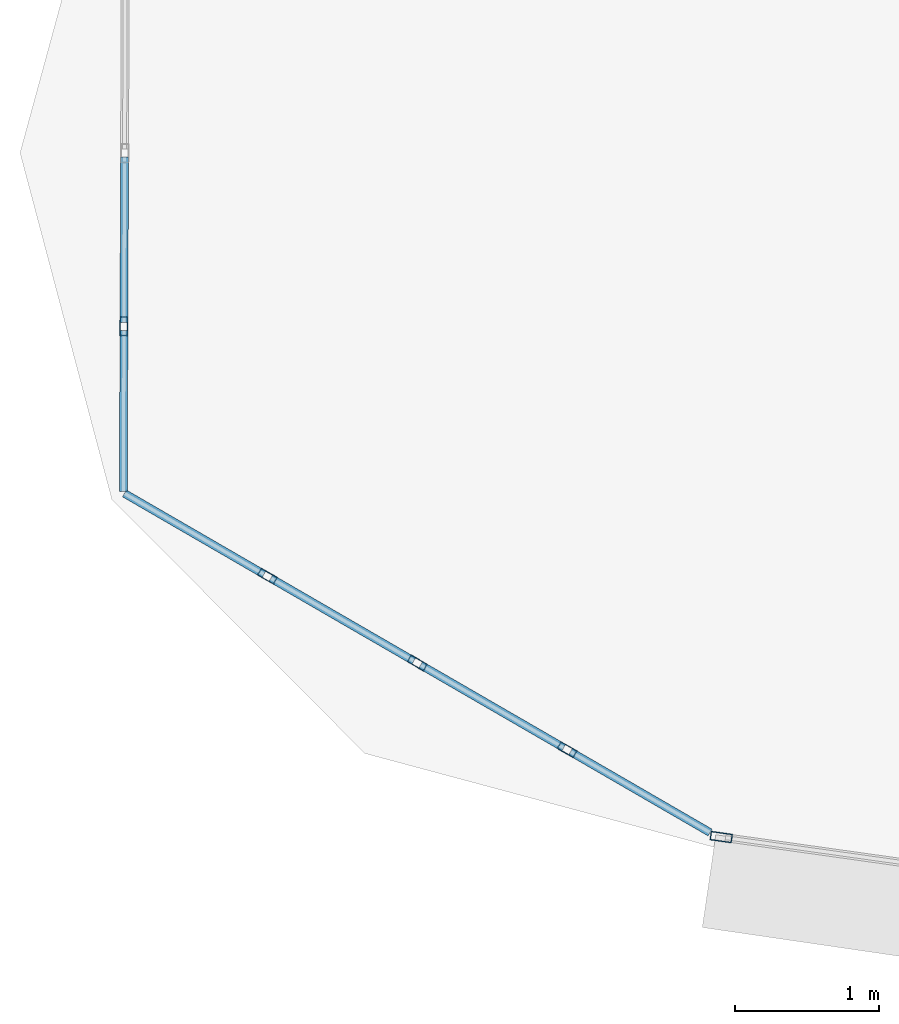
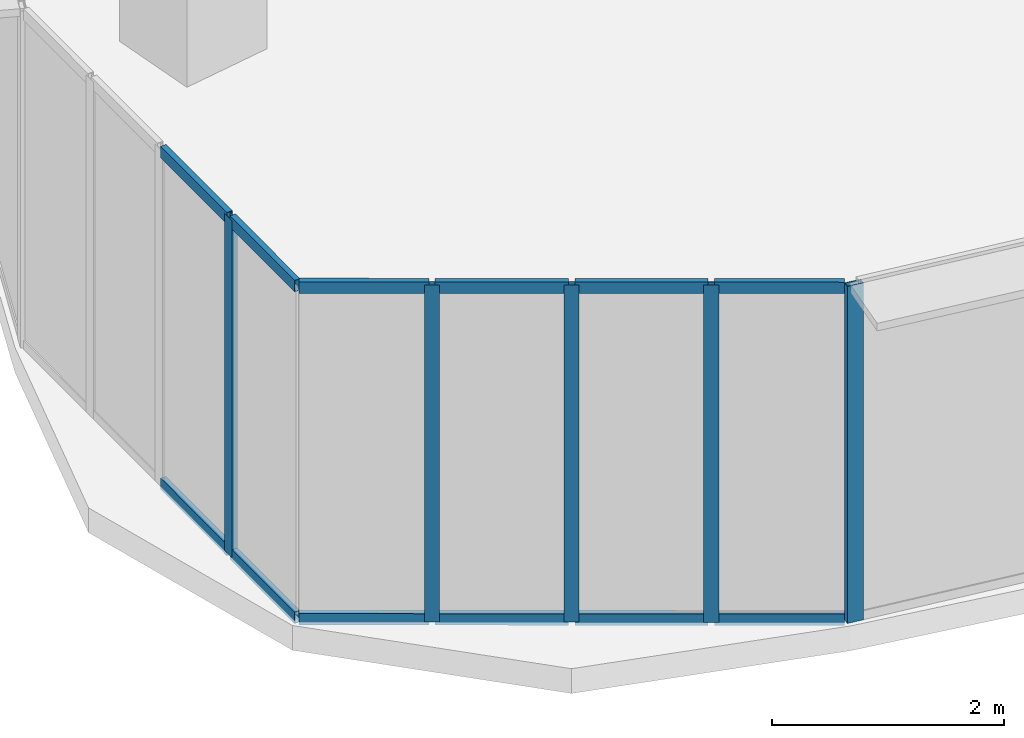
# One storey, part 2 of 40: 17 members, 3 elements without a shape of their own.
"""IFC4 building model written with IfcOpenShell, lengths in metres."""

from ifc_helpers import new_model, si_unit, direction, frame, origin, origin_2d, place, context, subcontext, project, spatial, hollow_rectangle, extrude, source, transform, mapped, material, layer, layer_set, material_profile, profile_set, type_object, element, aggregate, save


model = new_model("IFC4")

# Units and contexts
model_context = context("Model", 3, precision=1e-05, world=origin(), true_north=direction((0.0, 1.0)))
body_context = subcontext(model_context, "Body", "Model", "MODEL_VIEW")
ifc_project = project(units=[si_unit("LENGTHUNIT", "METRE"), si_unit("AREAUNIT", "SQUARE_METRE"), si_unit("VOLUMEUNIT", "CUBIC_METRE"), si_unit("PLANEANGLEUNIT", "RADIAN"), si_unit("MASSUNIT", "GRAM", prefix="KILO"), si_unit("THERMODYNAMICTEMPERATUREUNIT", "KELVIN"), si_unit("POWERUNIT", "WATT")], contexts=[model_context])

# Site, building, storey
site_placement = place(None, origin())
site = spatial("IfcSite", under=ifc_project, at=site_placement, CompositionType="ELEMENT")
building_placement = place(site_placement, origin())
building = spatial("IfcBuilding", under=site, at=building_placement, Name="Yunzhuo Pagoda Commons", CompositionType="ELEMENT")
storey_placement = place(building_placement, frame((0.0, 0.0, 184.760009765625)))
storey = spatial("IfcBuildingStorey", under=building, at=storey_placement, Name="L46", CompositionType="ELEMENT", Elevation=184.760009765625)

# Curtain wall, member
ifc_material = material(Name="Anodized aluminium 6063-T6", Category="aluminium")
ifc_layer_1 = layer(ifc_material, 0.1298828125)
ifc_layer_set_1 = layer_set([ifc_layer_1], Name="Anodized aluminium 6063-T6")
curtain_wall_type_1 = type_object("IfcCurtainWallType", Name="CW-VTX Rounded Corner Curtain Wall", PredefinedType="NOTDEFINED", material=ifc_layer_set_1)
curtain_wall_1_placement = place(storey_placement, origin())
curtain_wall_1 = element("IfcCurtainWall", 1, at=curtain_wall_1_placement, inside=storey, type_object=curtain_wall_type_1, Name="L46 curtain wall CW-L46-VTX1S1", PredefinedType="NOTDEFINED")
ifc_material_profile_1 = material_profile(ifc_material, hollow_rectangle(XDim=0.054931640625, YDim=0.1298828125, WallThickness=0.00341796875, at=origin_2d()), Name="Anodized aluminium 6063-T6")
ifc_profile_set_1 = profile_set([ifc_material_profile_1], Name="Anodized aluminium 6063-T6")
member_type_1 = type_object("IfcMemberType", Name="CW-VTX-M Mullion RHS 130x55x3.5", PredefinedType="MULLION", material=ifc_profile_set_1)
shared_shape_1 = source(origin(), body_context, "Body", "SweptSolid", [
    extrude(hollow_rectangle(XDim=0.054931640625, YDim=0.1298828125, WallThickness=0.00341796875, at=origin_2d()), origin(), (0.0, 0.0, 1.0), 3.5400390625),
])
member_1_placement = place(storey_placement, frame((9.262451171875, 20.725830078125, 0.0), z_axis=(0.0, 0.0, 1.0), x_axis=(0.99999359061, -0.003580326762, 0.0)))
member_1 = element("IfcMember", 2, at=member_1_placement, type_object=member_type_1, Name="CW mullion 4", PredefinedType="MULLION", context=body_context, shape_type="MappedRepresentation", body=[
    mapped(shared_shape_1, transform((0.0, 0.0, 0.0), scale=1.0)),
])

# Curtain wall, members
curtain_wall_2_placement = place(storey_placement, origin())
curtain_wall_2 = element("IfcCurtainWall", 3, at=curtain_wall_2_placement, inside=storey, type_object=curtain_wall_type_1, Name="L46 curtain wall CW-L46-VTX1S2", PredefinedType="NOTDEFINED")
member_2_placement = place(storey_placement, frame((10.257568359375, 18.99267578125, 0.0), z_axis=(0.0, 0.0, 1.0), x_axis=(0.501040373263, 0.865423910208, 0.0)))
member_2 = element("IfcMember", 4, at=member_2_placement, type_object=member_type_1, Name="CW mullion 2", PredefinedType="MULLION", context=body_context, shape_type="MappedRepresentation", body=[
    mapped(shared_shape_1, transform((0.0, 0.0, 0.0), scale=1.0)),
])
member_3_placement = place(storey_placement, frame((11.297119140625, 18.390869140625, 0.0), z_axis=(0.0, 0.0, 1.0), x_axis=(0.501040373263, 0.865423910208, 0.0)))
member_3 = element("IfcMember", 5, at=member_3_placement, type_object=member_type_1, Name="CW mullion 3", PredefinedType="MULLION", context=body_context, shape_type="MappedRepresentation", body=[
    mapped(shared_shape_1, transform((0.0, 0.0, 0.0), scale=1.0)),
])
member_4_placement = place(storey_placement, frame((12.33642578125, 17.789306640625, 0.0), z_axis=(0.0, 0.0, 1.0), x_axis=(0.501040373263, 0.865423910208, 0.0)))
member_4 = element("IfcMember", 6, at=member_4_placement, type_object=member_type_1, Name="CW mullion 4", PredefinedType="MULLION", context=body_context, shape_type="MappedRepresentation", body=[
    mapped(shared_shape_1, transform((0.0, 0.0, 0.0), scale=1.0)),
])

# Curtain wall, member
ifc_layer_2 = layer(ifc_material, 0.14990234375)
ifc_layer_set_2 = layer_set([ifc_layer_2], Name="Anodized aluminium 6063-T6")
curtain_wall_type_2 = type_object("IfcCurtainWallType", Name="CW-MID Mid-Zone Ribbon Curtain Wall", PredefinedType="NOTDEFINED", material=ifc_layer_set_2)
curtain_wall_3_placement = place(storey_placement, origin())
curtain_wall_3 = element("IfcCurtainWall", 7, at=curtain_wall_3_placement, inside=storey, type_object=curtain_wall_type_2, Name="L46 curtain wall CW-L46-F1B1", PredefinedType="NOTDEFINED")
ifc_material_profile_2 = material_profile(ifc_material, hollow_rectangle(XDim=0.06005859375, YDim=0.14990234375, WallThickness=0.00390625, at=origin_2d()), Name="Anodized aluminium 6063-T6")
ifc_profile_set_2 = profile_set([ifc_material_profile_2], Name="Anodized aluminium 6063-T6")
member_type_2 = type_object("IfcMemberType", Name="CW-MID-M Mullion RHS 150x60x4", PredefinedType="MULLION", material=ifc_profile_set_2)
shared_shape_2 = source(origin(), body_context, "Body", "SweptSolid", [
    extrude(hollow_rectangle(XDim=0.06005859375, YDim=0.14990234375, WallThickness=0.00390625, at=origin_2d()), origin(), (0.0, 0.0, 1.0), 3.5400390625),
])
member_5_placement = place(storey_placement, frame((13.405517578125, 17.183349609375, 0.0), z_axis=(0.0, 0.0, 1.0), x_axis=(0.139233100351, 0.990259634524, 0.0)))
member_5 = element("IfcMember", 8, at=member_5_placement, type_object=member_type_2, Name="CW mullion 1", PredefinedType="MULLION", context=body_context, shape_type="MappedRepresentation", body=[
    mapped(shared_shape_2, transform((0.0, 0.0, 0.0), scale=1.0)),
])
aggregate(curtain_wall_3, [member_5])

# Member
ifc_material_profile_3 = material_profile(ifc_material, hollow_rectangle(XDim=0.054931640625, YDim=0.1201171875, WallThickness=0.00341796875, at=origin_2d()), Name="Anodized aluminium 6063-T6")
ifc_profile_set_3 = profile_set([ifc_material_profile_3], Name="Anodized aluminium 6063-T6")
member_type_3 = type_object("IfcMemberType", Name="CW-VTX-T Transom RHS 120x55x3.5", PredefinedType="USERDEFINED", material=ifc_profile_set_3)
shared_shape_3 = source(origin(), body_context, "Body", "SweptSolid", [
    extrude(hollow_rectangle(XDim=0.054931640625, YDim=0.1201171875, WallThickness=0.00341796875, at=origin_2d()), origin(), (0.0, 0.0, 1.0), 1.14599609375),
])
member_6_placement = place(storey_placement, frame((9.2666015625, 21.8994140625, 0.027587890625), z_axis=(-0.003408586931, -0.999994190751, 0.0), x_axis=(0.999994190751, -0.003408586931, 0.0)))
member_6 = element("IfcMember", 9, at=member_6_placement, type_object=member_type_3, Name="CW transom 3.1", ObjectType="TRANSOM", PredefinedType="USERDEFINED", context=body_context, shape_type="MappedRepresentation", body=[
    mapped(shared_shape_3, transform((0.0, 0.0, 0.0), scale=1.0)),
])

member_7_placement = place(storey_placement, frame((9.2666015625, 21.8994140625, 3.512451171875), z_axis=(-0.003408586931, -0.999994190751, 0.0), x_axis=(0.999994190751, -0.003408586931, 0.0)))
member_7 = element("IfcMember", 10, at=member_7_placement, type_object=member_type_3, Name="CW transom 3.2", ObjectType="TRANSOM", PredefinedType="USERDEFINED", context=body_context, shape_type="MappedRepresentation", body=[
    mapped(shared_shape_3, transform((0.0, 0.0, 0.0), scale=1.0)),
])

member_8_placement = place(storey_placement, frame((11.32080078125, 18.377197265625, 0.027587890625), z_axis=(0.865542942623, -0.500834717722, 0.0), x_axis=(0.500834717722, 0.865542942623, 0.0)))
member_8 = element("IfcMember", 11, at=member_8_placement, type_object=member_type_3, Name="CW transom 3.1", ObjectType="TRANSOM", PredefinedType="USERDEFINED", context=body_context, shape_type="MappedRepresentation", body=[
    mapped(shared_shape_3, transform((0.0, 0.0, 0.0), scale=1.0)),
])

member_9_placement = place(storey_placement, frame((11.32080078125, 18.377197265625, 3.512451171875), z_axis=(0.865542942623, -0.500834717722, 0.0), x_axis=(0.500834717722, 0.865542942623, 0.0)))
member_9 = element("IfcMember", 12, at=member_9_placement, type_object=member_type_3, Name="CW transom 3.2", ObjectType="TRANSOM", PredefinedType="USERDEFINED", context=body_context, shape_type="MappedRepresentation", body=[
    mapped(shared_shape_3, transform((0.0, 0.0, 0.0), scale=1.0)),
])

shared_shape_4 = source(origin(), body_context, "Body", "SweptSolid", [
    extrude(hollow_rectangle(XDim=0.054931640625, YDim=0.1201171875, WallThickness=0.00341796875, at=origin_2d()), origin(), (0.0, 0.0, 1.0), 1.11865234375),
])
member_10_placement = place(storey_placement, frame((9.262451171875, 20.698486328125, 0.027587890625), z_axis=(-0.003710144696, -0.999993117389, 0.0), x_axis=(0.999993117389, -0.003710144696, 0.0)))
member_10 = element("IfcMember", 13, at=member_10_placement, type_object=member_type_3, Name="CW transom 4.1", ObjectType="TRANSOM", PredefinedType="USERDEFINED", context=body_context, shape_type="MappedRepresentation", body=[
    mapped(shared_shape_4, transform((0.0, 0.0, 0.0), scale=1.0)),
])

member_11_placement = place(storey_placement, frame((9.262451171875, 20.698486328125, 3.512451171875), z_axis=(-0.003710144696, -0.999993117389, 0.0), x_axis=(0.999993117389, -0.003710144696, 0.0)))
member_11 = element("IfcMember", 14, at=member_11_placement, type_object=member_type_3, Name="CW transom 4.2", ObjectType="TRANSOM", PredefinedType="USERDEFINED", context=body_context, shape_type="MappedRepresentation", body=[
    mapped(shared_shape_4, transform((0.0, 0.0, 0.0), scale=1.0)),
])

aggregate(curtain_wall_1, [member_1, member_6, member_7, member_10, member_11])

member_12_placement = place(storey_placement, frame((9.265869140625, 19.567138671875, 0.027587890625), z_axis=(0.865286801304, -0.501277120453, 0.0), x_axis=(0.501277120453, 0.865286801304, 0.0)))
member_12 = element("IfcMember", 15, at=member_12_placement, type_object=member_type_3, Name="CW transom 1.1", ObjectType="TRANSOM", PredefinedType="USERDEFINED", context=body_context, shape_type="MappedRepresentation", body=[
    mapped(shared_shape_4, transform((0.0, 0.0, 0.0), scale=1.0)),
])

member_13_placement = place(storey_placement, frame((9.265869140625, 19.567138671875, 3.512451171875), z_axis=(0.865286801304, -0.501277120453, 0.0), x_axis=(0.501277120453, 0.865286801304, 0.0)))
member_13 = element("IfcMember", 16, at=member_13_placement, type_object=member_type_3, Name="CW transom 1.2", ObjectType="TRANSOM", PredefinedType="USERDEFINED", context=body_context, shape_type="MappedRepresentation", body=[
    mapped(shared_shape_4, transform((0.0, 0.0, 0.0), scale=1.0)),
])

member_14_placement = place(storey_placement, frame((12.360107421875, 17.775390625, 0.027587890625), z_axis=(0.865381453688, -0.501113699286, 0.0), x_axis=(0.501113699286, 0.865381453688, 0.0)))
member_14 = element("IfcMember", 17, at=member_14_placement, type_object=member_type_3, Name="CW transom 4.1", ObjectType="TRANSOM", PredefinedType="USERDEFINED", context=body_context, shape_type="MappedRepresentation", body=[
    mapped(shared_shape_4, transform((0.0, 0.0, 0.0), scale=1.0)),
])

member_15_placement = place(storey_placement, frame((12.360107421875, 17.775390625, 3.512451171875), z_axis=(0.865381453688, -0.501113699286, 0.0), x_axis=(0.501113699286, 0.865381453688, 0.0)))
member_15 = element("IfcMember", 18, at=member_15_placement, type_object=member_type_3, Name="CW transom 4.2", ObjectType="TRANSOM", PredefinedType="USERDEFINED", context=body_context, shape_type="MappedRepresentation", body=[
    mapped(shared_shape_4, transform((0.0, 0.0, 0.0), scale=1.0)),
])

shared_shape_5 = source(origin(), body_context, "Body", "SweptSolid", [
    extrude(hollow_rectangle(XDim=0.054931640625, YDim=0.1201171875, WallThickness=0.00341796875, at=origin_2d()), origin(), (0.0, 0.0, 1.0), 1.145751953125),
])
member_16_placement = place(storey_placement, frame((10.281494140625, 18.978759765625, 0.027587890625), z_axis=(0.865489492245, -0.500927079337, 0.0), x_axis=(0.500927079337, 0.865489492245, 0.0)))
member_16 = element("IfcMember", 19, at=member_16_placement, type_object=member_type_3, Name="CW transom 2.1", ObjectType="TRANSOM", PredefinedType="USERDEFINED", context=body_context, shape_type="MappedRepresentation", body=[
    mapped(shared_shape_5, transform((0.0, 0.0, 0.0), scale=1.0)),
])

member_17_placement = place(storey_placement, frame((10.281494140625, 18.978759765625, 3.512451171875), z_axis=(0.865489492245, -0.500927079337, 0.0), x_axis=(0.500927079337, 0.865489492245, 0.0)))
member_17 = element("IfcMember", 20, at=member_17_placement, type_object=member_type_3, Name="CW transom 2.2", ObjectType="TRANSOM", PredefinedType="USERDEFINED", context=body_context, shape_type="MappedRepresentation", body=[
    mapped(shared_shape_5, transform((0.0, 0.0, 0.0), scale=1.0)),
])

aggregate(curtain_wall_2, [member_2, member_3, member_4, member_12, member_13, member_16, member_17, member_8, member_9, member_14, member_15])

save(model, "model.ifc")
